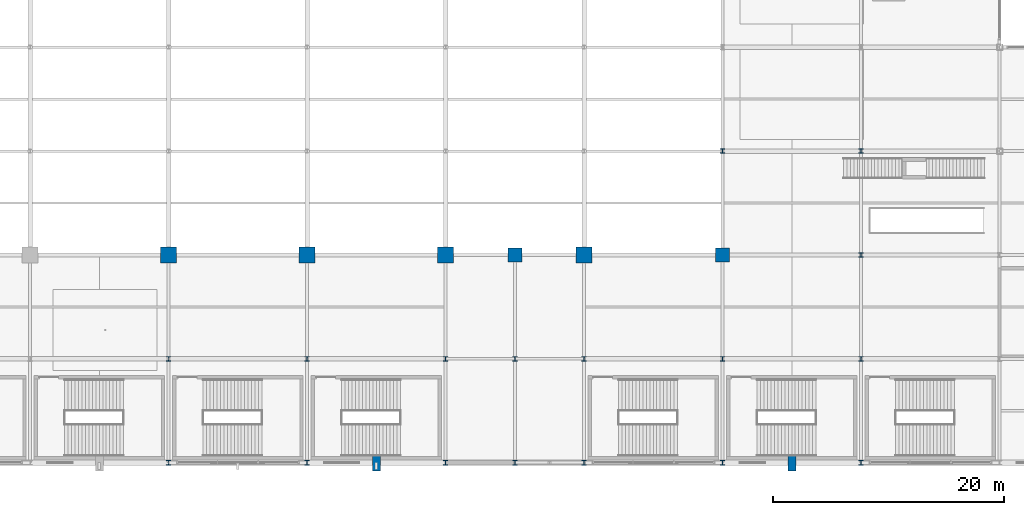
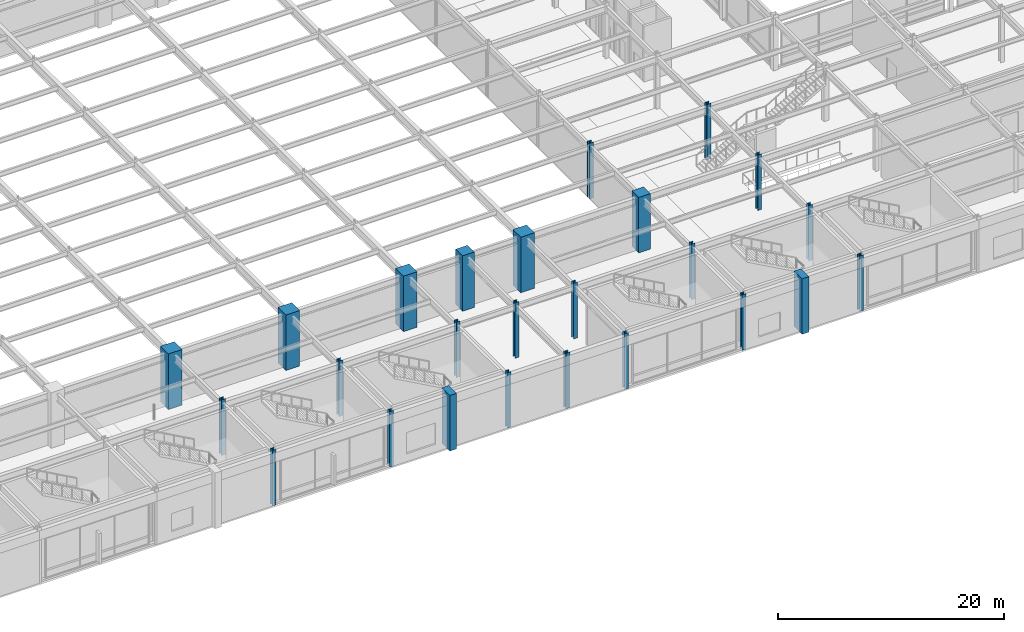
# One storey, part 4 of 105: 25 columns.
"""IFC4 building model written with IfcOpenShell, lengths in metres."""

from ifc_helpers import new_model, si_unit, direction, frame, origin, origin_2d, place, context, subcontext, project, spatial, rectangle, i_section, extrude, material, material_profile, profile_set, type_object, element, save


model = new_model("IFC4")

# Units and contexts
model_context = context("Model", 3, precision=1e-05, world=origin(), true_north=direction((0.0, 1.0)))
body_context = subcontext(model_context, "Body", "Model", "MODEL_VIEW")
ifc_project = project(units=[si_unit("LENGTHUNIT", "METRE"), si_unit("AREAUNIT", "SQUARE_METRE"), si_unit("VOLUMEUNIT", "CUBIC_METRE"), si_unit("PLANEANGLEUNIT", "RADIAN"), si_unit("MASSUNIT", "GRAM", prefix="KILO")], contexts=[model_context])

# Site, building, storey
site_placement = place(None, origin())
site = spatial("IfcSite", under=ifc_project, at=site_placement, CompositionType="ELEMENT")
building_placement = place(site_placement, origin())
building = spatial("IfcBuilding", under=site, at=building_placement, Name="Kaldorvane Square Convention Centre", CompositionType="ELEMENT")
storey_placement = place(building_placement, frame((0.0, 0.0, 6.0)))
storey = spatial("IfcBuildingStorey", under=building, at=storey_placement, Name="L01", CompositionType="ELEMENT", Elevation=6.0)

# Columns
ifc_material_1 = material(Name="Concrete f'c = 55 MPa (Normalweight)", Category="concrete")
ifc_material_profile_1 = material_profile(ifc_material_1, rectangle(XDim=1.1999969482421875, YDim=1.1999969482421875, at=origin_2d()), Name="RC1200X1200")
ifc_profile_set_1 = profile_set([ifc_material_profile_1], Name="Concrete f'c = 55 MPa (Normalweight)")
column_type_1 = type_object("IfcColumnType", Name="COL-MEGA-1200", PredefinedType="COLUMN", material=ifc_profile_set_1)
for number, where, z_axis, x_axis, name in (
    (1, (96.0, 18.0, 0.0), (0.0, 0.0, 1.0), (1.0, 0.0, 0.0), "Column MC-02 (L01)"),
    (2, (114.0, 18.0, 0.0), (0.0, 0.0, 1.0), (1.0, 0.0, 0.0), "Column MC-02 (L01)"),
):
    element("IfcColumn", number, at=place(storey_placement, frame(where, z_axis=z_axis, x_axis=x_axis)), inside=storey, type_object=column_type_1, Name=name, PredefinedType="COLUMN", context=body_context, shape_type="SweptSolid", body=[
        extrude(rectangle(XDim=1.1999969482421875, YDim=1.1999969482421875, at=origin_2d()), origin(), (0.0, 0.0, 1.0), 6.0),
    ])
ifc_material_profile_2 = material_profile(ifc_material_1, rectangle(XDim=1.399993896484375, YDim=1.399993896484375, at=origin_2d()), Name="RC1400X1400")
ifc_profile_set_2 = profile_set([ifc_material_profile_2], Name="Concrete f'c = 55 MPa (Normalweight)")
column_type_2 = type_object("IfcColumnType", Name="COL-MEGA-1400", PredefinedType="COLUMN", material=ifc_profile_set_2)
for number, where, z_axis, x_axis, name in (
    (3, (66.0, 18.0, 0.0), (0.0, 0.0, 1.0), (1.0, 0.0, 0.0), "Column MC-01 (L01)"),
    (4, (78.0, 18.0, 0.0), (0.0, 0.0, 1.0), (1.0, 0.0, 0.0), "Column MC-01 (L01)"),
    (5, (90.0, 18.0, 0.0), (0.0, 0.0, 1.0), (1.0, 0.0, 0.0), "Column MC-01 (L01)"),
    (6, (102.0, 18.0, 0.0), (0.0, 0.0, 1.0), (1.0, 0.0, 0.0), "Column MC-01 (L01)"),
):
    element("IfcColumn", number, at=place(storey_placement, frame(where, z_axis=z_axis, x_axis=x_axis)), inside=storey, type_object=column_type_2, Name=name, PredefinedType="COLUMN", context=body_context, shape_type="SweptSolid", body=[
        extrude(rectangle(XDim=1.399993896484375, YDim=1.399993896484375, at=origin_2d()), origin(), (0.0, 0.0, 1.0), 6.0),
    ])
ifc_material_2 = material(Name="Steel ASTM A992 Gr. 50", Category="steel")
ifc_material_profile_3 = material_profile(ifc_material_2, i_section(OverallWidth=0.40130615234375, OverallDepth=0.3993072509765625, WebThickness=0.02490234375, FlangeThickness=0.0395965576171875, FilletRadius=0.0305023193359375, at=origin_2d()), Name="W14X211")
ifc_profile_set_3 = profile_set([ifc_material_profile_3], Name="Steel ASTM A992 Gr. 50")
column_type_3 = type_object("IfcColumnType", Name="COL-STL-211", PredefinedType="COLUMN", material=ifc_profile_set_3)
for number, where, z_axis, x_axis, name in (
    (7, (66.0, 0.0, 0.0), (0.0, 0.0, 1.0), (1.0, 0.0, 0.0), "Column SC-08 (L01)"),
    (8, (66.0, 9.0, 0.0), (0.0, 0.0, 1.0), (1.0, 0.0, 0.0), "Column SC-08 (L01)"),
    (9, (78.0, 0.0, 0.0), (0.0, 0.0, 1.0), (1.0, 0.0, 0.0), "Column SC-08 (L01)"),
    (10, (78.0, 9.0, 0.0), (0.0, 0.0, 1.0), (1.0, 0.0, 0.0), "Column SC-08 (L01)"),
    (11, (90.0, 0.0, 0.0), (0.0, 0.0, 1.0), (1.0, 0.0, 0.0), "Column SC-08 (L01)"),
    (12, (90.0, 9.0, 0.0), (0.0, 0.0, 1.0), (1.0, 0.0, 0.0), "Column SC-08 (L01)"),
    (13, (96.0, 0.0, 0.0), (0.0, 0.0, 1.0), (1.0, 0.0, 0.0), "Column SC-08 (L01)"),
    (14, (96.0, 9.0, 0.0), (0.0, 0.0, 1.0), (1.0, 0.0, 0.0), "Column SC-08 (L01)"),
    (15, (102.0, 0.0, 0.0), (0.0, 0.0, 1.0), (1.0, 0.0, 0.0), "Column SC-08 (L01)"),
    (16, (102.0, 9.0, 0.0), (0.0, 0.0, 1.0), (1.0, 0.0, 0.0), "Column SC-08 (L01)"),
    (17, (114.0, 0.0, 0.0), (0.0, 0.0, 1.0), (1.0, 0.0, 0.0), "Column SC-08 (L01)"),
    (18, (114.0, 9.0, 0.0), (0.0, 0.0, 1.0), (1.0, 0.0, 0.0), "Column SC-08 (L01)"),
    (19, (114.0, 27.0, 0.0), (0.0, 0.0, 1.0), (1.0, 0.0, 0.0), "Column SC-08 (L01)"),
    (20, (126.0, 0.0, 0.0), (0.0, 0.0, 1.0), (1.0, 0.0, 0.0), "Column SC-08 (L01)"),
    (21, (126.0, 9.0, 0.0), (0.0, 0.0, 1.0), (1.0, 0.0, 0.0), "Column SC-08 (L01)"),
    (22, (126.0, 18.0, 0.0), (0.0, 0.0, 1.0), (1.0, 0.0, 0.0), "Column SC-08 (L01)"),
    (23, (126.0, 27.0, 0.0), (0.0, 0.0, 1.0), (1.0, 0.0, 0.0), "Column SC-08 (L01)"),
):
    element("IfcColumn", number, at=place(storey_placement, frame(where, z_axis=z_axis, x_axis=x_axis)), inside=storey, type_object=column_type_3, Name=name, PredefinedType="COLUMN", context=body_context, shape_type="SweptSolid", body=[
        extrude(i_section(OverallWidth=0.40130615234375, OverallDepth=0.3993072509765625, WebThickness=0.02490234375, FlangeThickness=0.0395965576171875, FilletRadius=0.0305023193359375, at=origin_2d()), origin(), (0.0, 0.0, 1.0), 6.0),
    ])
ifc_material_profile_4 = material_profile(ifc_material_1, rectangle(XDim=0.6999969482421875, YDim=1.399993896484375, at=origin_2d()), Name="PIL1400X700")
ifc_profile_set_4 = profile_set([ifc_material_profile_4], Name="Concrete f'c = 55 MPa (Normalweight)")
column_type_4 = type_object("IfcColumnType", Name="PIL-BRUT-1400", PredefinedType="PILASTER", material=ifc_profile_set_4)
for number, where, z_axis, x_axis, name in (
    (24, (84.0, 0.0, 0.0), (0.0, 0.0, 1.0), (1.0, 0.0, 0.0), "Brutalist Colonnade Pilaster (L01)"),
    (25, (120.0, 0.0, 0.0), (0.0, 0.0, 1.0), (1.0, 0.0, 0.0), "Brutalist Colonnade Pilaster (L01)"),
):
    element("IfcColumn", number, at=place(storey_placement, frame(where, z_axis=z_axis, x_axis=x_axis)), inside=storey, type_object=column_type_4, Name=name, PredefinedType="PILASTER", context=body_context, shape_type="SweptSolid", body=[
        extrude(rectangle(XDim=0.6999969482421875, YDim=1.399993896484375, at=origin_2d()), origin(), (0.0, 0.0, 1.0), 6.0),
    ])

save(model, "model.ifc")
